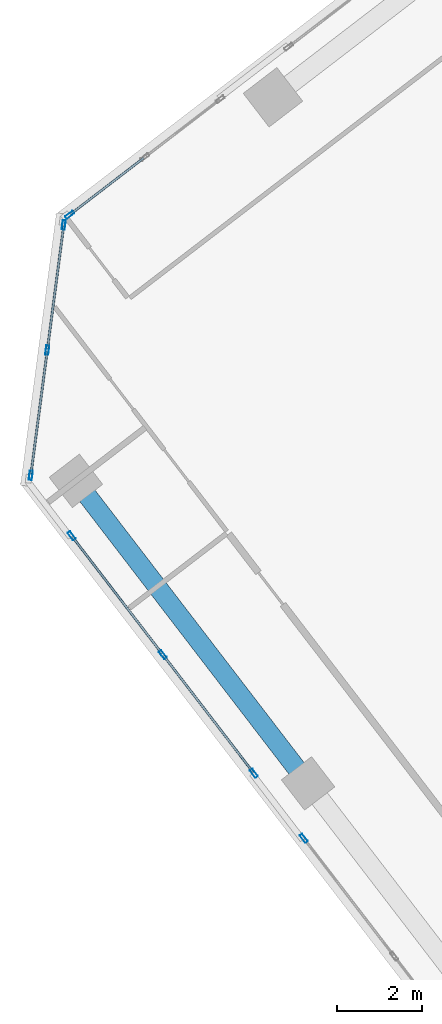
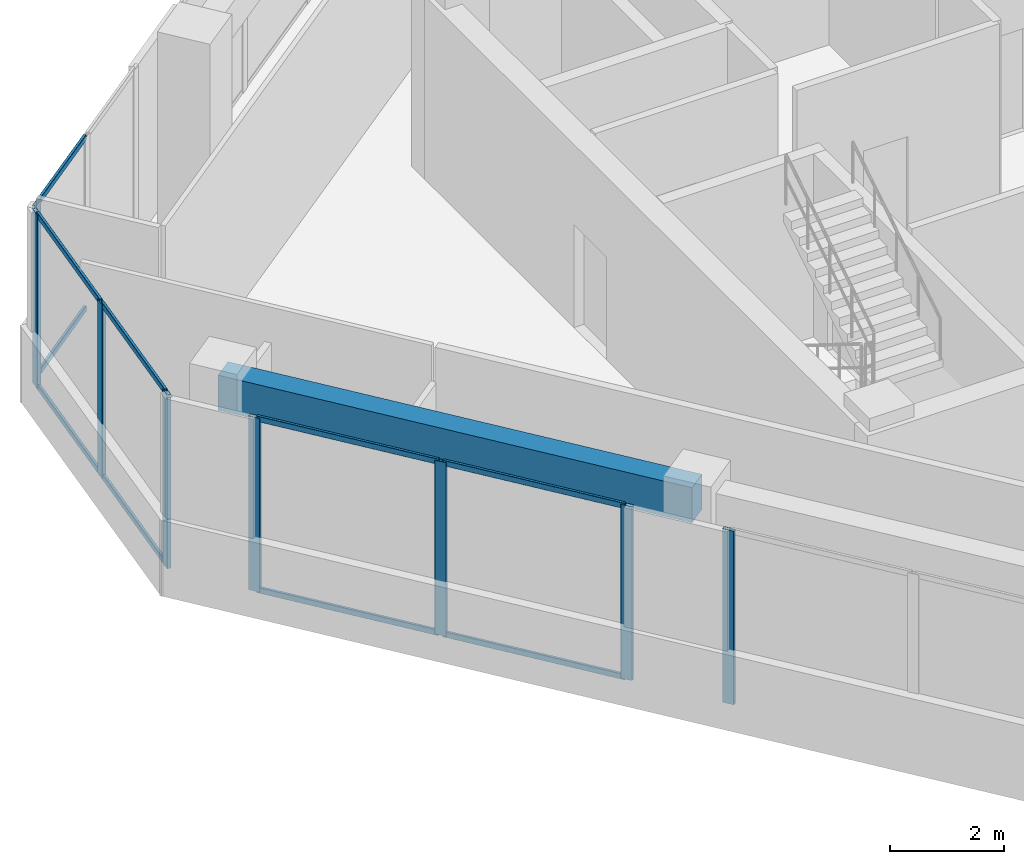
# One storey, part 4 of 17: 18 members, 1 beam, 4 elements without a shape of their own.
"""IFC4 building model written with IfcOpenShell, lengths in metres."""

import ifcopenshell
import ifcopenshell.guid

model = None  # the IFC model being written
_history = None  # IfcOwnerHistory: only IFC2X3 demands one
_inside = {}  # id of a spatial element -> (the spatial element, [elements in it])
_under = {}  # id of a project, library or spatial element -> (it, [spatial elements below it])
_declared = {}  # id of a project -> (the project, [libraries it declares])
_typed = {}  # id of a type object -> (the type object, [elements of that type])
_made_of = {}  # id of a material, layer set ... -> (it, [elements and type objects made of it])


def new_model(schema):
    """Start an empty IFC model of exactly this schema.

    Asked for "IFC4X3", IfcOpenShell would pick the latest addendum, in which some entities
    have other attributes; the version numbers below select the first issue.
    IFC2X3 requires an IfcOwnerHistory on every rooted entity: one is made here for all.
    """
    global model, _history
    if schema == "IFC4X3":
        model = ifcopenshell.file(schema_version=(4, 3, 0, 0))
    else:
        model = ifcopenshell.file(schema=schema)
    _inside.clear()
    _under.clear()
    _declared.clear()
    _typed.clear()
    _made_of.clear()
    _history = None
    if model.schema == "IFC2X3":
        org = make("IfcOrganization", Name="unknown")
        user = make(
            "IfcPersonAndOrganization",
            ThePerson=make("IfcPerson", FamilyName="unknown"),
            TheOrganization=org,
        )
        app = make(
            "IfcApplication",
            ApplicationDeveloper=org,
            Version="unknown",
            ApplicationFullName="unknown",
            ApplicationIdentifier="unknown",
        )
        _history = make(
            "IfcOwnerHistory",
            OwningUser=user,
            OwningApplication=app,
            ChangeAction="ADDED",
            CreationDate=0,
        )
    return model


def make(cls, **values):
    """One entity of the class cls with the attributes given. An attribute that is None is left unset."""
    return model.create_entity(
        cls, **{name: value for name, value in values.items() if value is not None}
    )


def rooted(cls, **values):
    """An entity with a GlobalId (a new one), such as an element, a storey or a relation."""
    return make(cls, GlobalId=ifcopenshell.guid.new(), OwnerHistory=_history, **values)


def si_unit(unit_type, name, prefix=None):
    """IfcSIUnit, for example si_unit("LENGTHUNIT", "METRE", prefix="MILLI")."""
    return make("IfcSIUnit", UnitType=unit_type, Prefix=prefix, Name=name)


def assignment(units):
    """IfcUnitAssignment: the units of a project."""
    return None if units is None else make("IfcUnitAssignment", Units=units)


def point(xyz):
    """IfcCartesianPoint."""
    return None if xyz is None else make("IfcCartesianPoint", Coordinates=xyz)


def direction(xyz):
    """IfcDirection."""
    return None if xyz is None else make("IfcDirection", DirectionRatios=xyz)


def frame(location, z_axis=None, x_axis=None):
    """IfcAxis2Placement3D, a coordinate frame: its origin and axes. An axis left out is left unset."""
    return make(
        "IfcAxis2Placement3D",
        Location=point(location),
        Axis=direction(z_axis),
        RefDirection=direction(x_axis),
    )


def frame_2d(location, x_axis=None):
    """IfcAxis2Placement2D, a coordinate frame in the plane: its origin and x axis."""
    return make(
        "IfcAxis2Placement2D", Location=point(location), RefDirection=direction(x_axis)
    )


def origin():
    """The frame at (0, 0, 0) with its axes left unset."""
    return frame((0.0, 0.0, 0.0))


def origin_2d():
    """The frame at (0, 0) in the plane with its x axis left unset."""
    return frame_2d((0.0, 0.0))


def place(relative_to, where):
    """IfcLocalPlacement: puts the frame where relative to a parent placement (None: the world)."""
    return make(
        "IfcLocalPlacement", PlacementRelTo=relative_to, RelativePlacement=where
    )


def context(
    kind, dimensions, precision=None, world=None, true_north=None, identifier=None
):
    """IfcGeometricRepresentationContext, for example the 3D "Model" context."""
    return make(
        "IfcGeometricRepresentationContext",
        ContextIdentifier=identifier,
        ContextType=kind,
        CoordinateSpaceDimension=dimensions,
        Precision=precision,
        WorldCoordinateSystem=world,
        TrueNorth=true_north,
    )


def subcontext(parent, identifier, kind, view, scale=None):
    """IfcGeometricRepresentationSubContext, for example "Body" below "Model"."""
    return make(
        "IfcGeometricRepresentationSubContext",
        ContextIdentifier=identifier,
        ContextType=kind,
        ParentContext=parent,
        TargetScale=scale,
        TargetView=view,
    )


def project(units=None, contexts=None):
    """IfcProject with its units and contexts."""
    return rooted(
        "IfcProject",
        Name="project",
        RepresentationContexts=contexts,
        UnitsInContext=assignment(units),
    )


def spatial(cls, under=None, at=None, **own):
    """A site, building, storey or space (cls), placed at a placement, below another one or the project."""
    s = rooted(cls, ObjectPlacement=at, **own)
    if under is not None:
        _under.setdefault(under.id(), (under, []))[1].append(s)
    return s


def profile(cls, at=None, kind="AREA", **sizes):
    """A parametric profile (cls). Its sizes go by their IFC names, for example OverallWidth=200.0."""
    return make(cls, ProfileType=kind, Position=at, **sizes)


def rectangle(**sizes):
    """IfcRectangleProfileDef."""
    return profile("IfcRectangleProfileDef", **sizes)


def hollow_rectangle(**sizes):
    """IfcRectangleHollowProfileDef."""
    return profile("IfcRectangleHollowProfileDef", **sizes)


def extrude(swept, where, along, depth):
    """IfcExtrudedAreaSolid: the profile swept, set in the frame where, extruded along a direction by depth."""
    return make(
        "IfcExtrudedAreaSolid",
        SweptArea=swept,
        Position=where,
        ExtrudedDirection=direction(along),
        Depth=depth,
    )


def shape(context_of_items, identifier, shape_type, items):
    """IfcShapeRepresentation: the items that make up one representation, for example the "Body"."""
    return make(
        "IfcShapeRepresentation",
        ContextOfItems=context_of_items,
        RepresentationIdentifier=identifier,
        RepresentationType=shape_type,
        Items=items,
    )


def source(mapping_origin, context_of_items, identifier, shape_type, items):
    """IfcRepresentationMap: a shape defined once, which mapped items show again and again."""
    return make(
        "IfcRepresentationMap",
        MappingOrigin=mapping_origin,
        MappedRepresentation=shape(context_of_items, identifier, shape_type, items),
    )


def transform(
    local_origin,
    x_axis=None,
    y_axis=None,
    z_axis=None,
    scale=None,
    scale2=None,
    scale3=None,
    uniform=True,
):
    """IfcCartesianTransformationOperator3D, or its non-uniform kind. x_axis, y_axis, z_axis: its Axis1, 2, 3."""
    if uniform:
        return make(
            "IfcCartesianTransformationOperator3D",
            Axis1=direction(x_axis),
            Axis2=direction(y_axis),
            LocalOrigin=point(local_origin),
            Scale=scale,
            Axis3=direction(z_axis),
        )
    return make(
        "IfcCartesianTransformationOperator3DnonUniform",
        Axis1=direction(x_axis),
        Axis2=direction(y_axis),
        LocalOrigin=point(local_origin),
        Scale=scale,
        Axis3=direction(z_axis),
        Scale2=scale2,
        Scale3=scale3,
    )


def mapped(mapping_source, mapping_target):
    """IfcMappedItem: shows the shape of a source again, moved by a transform."""
    return make(
        "IfcMappedItem", MappingSource=mapping_source, MappingTarget=mapping_target
    )


def material(Name=None, Category=None):
    """IfcMaterial."""
    return make("IfcMaterial", Name=Name, Category=Category)


def material_profile(
    of_material, cross_section, Name=None, Category=None, Priority=None
):
    """IfcMaterialProfile: a cross section and its material."""
    return make(
        "IfcMaterialProfile",
        Name=Name,
        Material=of_material,
        Profile=cross_section,
        Priority=Priority,
        Category=Category,
    )


def profile_set(profiles, Name=None, composite=None):
    """IfcMaterialProfileSet."""
    return make(
        "IfcMaterialProfileSet",
        Name=Name,
        MaterialProfiles=profiles,
        CompositeProfile=composite,
    )


def made_of(thing, what):
    """Note that an element or type object is made of a material, layer set ...; save() writes the relation."""
    if what is not None:
        _made_of.setdefault(what.id(), (what, []))[1].append(thing)
    return thing


def type_object(cls, material=None, **own):
    """A type object (cls), such as IfcWallType, which elements share."""
    return made_of(rooted(cls, **own), material)


def element(
    cls,
    number,
    at=None,
    inside=None,
    cuts=None,
    type_object=None,
    material=None,
    context=None,
    identifier="Body",
    shape_type=None,
    held_by="IfcProductDefinitionShape",
    body=None,
    shapes=None,
    **own,
):
    """One element of the class cls, such as IfcWall. Its Tag is "e" and its number.

    at: its placement. inside: the storey or other place that contains it. cuts: it is an
    opening in that element (IfcRelVoidsElement). A single representation is given by context,
    identifier, shape_type and body (its items); several are given by shapes. held_by: the class
    of the entity that holds the representations. save() writes the other relations.
    """
    e = rooted(cls, Tag="e%d" % number, ObjectPlacement=at, **own)
    if body is not None:
        shapes = [shape(context, identifier, shape_type, body)]
    if shapes is not None:
        e.Representation = make(held_by, Representations=shapes)
    if inside is not None:
        _inside.setdefault(inside.id(), (inside, []))[1].append(e)
    if cuts is not None:
        rooted(
            "IfcRelVoidsElement", RelatingBuildingElement=cuts, RelatedOpeningElement=e
        )
    if type_object is not None:
        _typed.setdefault(type_object.id(), (type_object, []))[1].append(e)
    return made_of(e, material)


def aggregate(whole, parts):
    """IfcRelAggregates: a whole, such as a stair, and the parts it consists of."""
    return rooted("IfcRelAggregates", RelatingObject=whole, RelatedObjects=parts)


def save(model, path):
    """Write the relations noted so far, then the file.

    IfcRelAggregates (storeys below a building ...), IfcRelContainedInSpatialStructure (elements
    in a storey), IfcRelDefinesByType, IfcRelAssociatesMaterial and IfcRelDeclares: one each for
    every whole, place, type object, material and project.
    """
    for whole, parts in _under.values():
        aggregate(whole, parts)
    for where, things in _inside.values():
        rooted(
            "IfcRelContainedInSpatialStructure",
            RelatedElements=things,
            RelatingStructure=where,
        )
    for kind, things in _typed.values():
        rooted("IfcRelDefinesByType", RelatedObjects=things, RelatingType=kind)
    for what, things in _made_of.values():
        rooted("IfcRelAssociatesMaterial", RelatedObjects=things, RelatingMaterial=what)
    for by, libraries in _declared.values():
        rooted("IfcRelDeclares", RelatingContext=by, RelatedDefinitions=libraries)
    model.write(path)


model = new_model("IFC4")

# Units and contexts
model_context = context("Model", 3, precision=1e-05, world=origin(), true_north=direction((0.0, 1.0)))
body_context = subcontext(model_context, "Body", "Model", "MODEL_VIEW")
ifc_project = project(units=[si_unit("LENGTHUNIT", "METRE"), si_unit("AREAUNIT", "SQUARE_METRE"), si_unit("VOLUMEUNIT", "CUBIC_METRE"), si_unit("PLANEANGLEUNIT", "RADIAN"), si_unit("MASSUNIT", "GRAM", prefix="KILO")], contexts=[model_context])

# Site, building, storey
site_placement = place(None, origin())
site = spatial("IfcSite", under=ifc_project, at=site_placement, CompositionType="ELEMENT")
building_placement = place(site_placement, origin())
building = spatial("IfcBuilding", under=site, at=building_placement, Name="Torre Montelarca", CompositionType="ELEMENT")
storey_placement = place(building_placement, frame((0.0, 0.0, 283.60009765625)))
storey = spatial("IfcBuildingStorey", under=building, at=storey_placement, Name="L64", CompositionType="ELEMENT", Elevation=283.60009765625)

# Beam
ifc_material_1 = material(Name="Concrete C55/67", Category="concrete")
ifc_material_profile_1 = material_profile(ifc_material_1, rectangle(XDim=0.449951171875, YDim=0.75, at=origin_2d()), Name="RCB450X750", Category="concrete")
ifc_profile_set_1 = profile_set([ifc_material_profile_1], Name="Concrete C55/67")
beam_type = type_object("IfcBeamType", Name="BM-SP-RC750-EXT", PredefinedType="SPANDREL", material=ifc_profile_set_1)
shared_shape_1 = source(origin(), body_context, "Body", "SweptSolid", [
    extrude(rectangle(XDim=0.449951171875, YDim=0.75, at=origin_2d()), origin(), (0.0, 0.0, 1.0), 9.0),
])
beam_placement = place(storey_placement, frame((0.244873046875, 31.4462890625, 3.544921875), z_axis=(0.608744143222, -0.793366603842, 0.0), x_axis=(0.793366603842, 0.608744143222, 0.0)))
element("IfcBeam", 1, at=beam_placement, inside=storey, type_object=beam_type, Name="L64 Grid Girder X 9.0-18.0 at Y=14.8", PredefinedType="SPANDREL", context=body_context, shape_type="MappedRepresentation", body=[
    mapped(shared_shape_1, transform((0.0, 0.0, 0.0), scale=1.0)),
])

# Curtain wall, members
ifc_material_2 = material(Name="Insulated low-E laminated glass", Category="glass")
curtain_wall_type = type_object("IfcCurtainWallType", Name="CW-SYS-Z3", PredefinedType="USERDEFINED", material=ifc_material_2)
curtain_wall_1_placement = place(storey_placement, origin())
curtain_wall_1 = element("IfcCurtainWall", 2, at=curtain_wall_1_placement, inside=storey, type_object=curtain_wall_type, Name="L64 Curtain Wall Run CW-T3-L64-E01-B1", ObjectType="UNITISED GLAZING", PredefinedType="USERDEFINED")
ifc_material_3 = material(Name="Anodised aluminium AA 6063-T6", Category="aluminium")
ifc_material_profile_2 = material_profile(ifc_material_3, hollow_rectangle(XDim=0.074951171875, YDim=0.219970703125, WallThickness=0.0048828125, InnerFilletRadius=0.0048828125, OuterFilletRadius=0.010009765625, at=origin_2d()), Name="ALU75X220X5", Category="aluminium")
ifc_profile_set_2 = profile_set([ifc_material_profile_2], Name="Anodised aluminium AA 6063-T6")
member_type_1 = type_object("IfcMemberType", Name="CWM-ALU220", PredefinedType="MULLION", material=ifc_profile_set_2)
shared_shape_2 = source(origin(), body_context, "Body", "SweptSolid", [
    extrude(hollow_rectangle(XDim=0.074951171875, YDim=0.219970703125, WallThickness=0.0048828125, InnerFilletRadius=0.0048828125, OuterFilletRadius=0.010009765625, at=origin_2d()), origin(), (0.0, 0.0, 1.0), 3.719970703125),
])
member_1_placement = place(storey_placement, frame((0.1435546875, 30.14892578125, 0.0), z_axis=(0.0, 0.0, 1.0), x_axis=(0.793348180762, 0.608768152979, 0.0)))
member_1 = element("IfcMember", 3, at=member_1_placement, type_object=member_type_1, Name="CW mullion 1", PredefinedType="MULLION", context=body_context, shape_type="MappedRepresentation", body=[
    mapped(shared_shape_2, transform((0.0, 0.0, 0.0), scale=1.0)),
])
member_2_placement = place(storey_placement, frame((2.2939453125, 27.346435546875, 0.0), z_axis=(0.0, 0.0, 1.0), x_axis=(0.793348180762, 0.608768152979, 0.0)))
member_2 = element("IfcMember", 4, at=member_2_placement, type_object=member_type_1, Name="CW mullion 2", PredefinedType="MULLION", context=body_context, shape_type="MappedRepresentation", body=[
    mapped(shared_shape_2, transform((0.0, 0.0, 0.0), scale=1.0)),
])
member_3_placement = place(storey_placement, frame((4.444580078125, 24.5439453125, 0.0), z_axis=(0.0, 0.0, 1.0), x_axis=(0.793348180762, 0.608768152979, 0.0)))
member_3 = element("IfcMember", 5, at=member_3_placement, type_object=member_type_1, Name="CW mullion 3", PredefinedType="MULLION", context=body_context, shape_type="MappedRepresentation", body=[
    mapped(shared_shape_2, transform((0.0, 0.0, 0.0), scale=1.0)),
])

# Curtain wall, member
curtain_wall_2_placement = place(storey_placement, origin())
curtain_wall_2 = element("IfcCurtainWall", 6, at=curtain_wall_2_placement, inside=storey, type_object=curtain_wall_type, Name="L64 Curtain Wall Run CW-T3-L64-E01-B2", ObjectType="UNITISED GLAZING", PredefinedType="USERDEFINED")
member_4_placement = place(storey_placement, frame((5.622314453125, 23.0087890625, 0.0), z_axis=(0.0, 0.0, 1.0), x_axis=(0.793350672852, 0.608764905268, 0.0)))
member_4 = element("IfcMember", 7, at=member_4_placement, type_object=member_type_1, Name="CW mullion 1", PredefinedType="MULLION", context=body_context, shape_type="MappedRepresentation", body=[
    mapped(shared_shape_2, transform((0.0, 0.0, 0.0), scale=1.0)),
])
aggregate(curtain_wall_2, [member_4])

curtain_wall_3_placement = place(storey_placement, origin())
curtain_wall_3 = element("IfcCurtainWall", 8, at=curtain_wall_3_placement, inside=storey, type_object=curtain_wall_type, Name="L64 Curtain Wall Run CW-T3-L64-E10-B3", ObjectType="UNITISED GLAZING", PredefinedType="USERDEFINED")
member_5_placement = place(storey_placement, frame((0.096435546875, 37.722900390625, 0.0), z_axis=(0.0, 0.0, 1.0), x_axis=(0.608757401695, -0.793356430541, 0.0)))
member_5 = element("IfcMember", 9, at=member_5_placement, type_object=member_type_1, Name="CW mullion 3", PredefinedType="MULLION", context=body_context, shape_type="MappedRepresentation", body=[
    mapped(shared_shape_2, transform((0.0, 0.0, 0.0), scale=1.0)),
])

# Curtain wall, members
curtain_wall_4_placement = place(storey_placement, origin())
curtain_wall_4 = element("IfcCurtainWall", 10, at=curtain_wall_4_placement, inside=storey, type_object=curtain_wall_type, Name="L64 Curtain Wall Run CW-T3-L64-E11-B1", ObjectType="UNITISED GLAZING", PredefinedType="USERDEFINED")
member_6_placement = place(storey_placement, frame((-0.041748046875, 37.483642578125, 0.0), z_axis=(0.0, 0.0, 1.0), x_axis=(0.991446450787, -0.130514118862, 0.0)))
member_6 = element("IfcMember", 11, at=member_6_placement, type_object=member_type_1, Name="CW mullion 1", PredefinedType="MULLION", context=body_context, shape_type="MappedRepresentation", body=[
    mapped(shared_shape_2, transform((0.0, 0.0, 0.0), scale=1.0)),
])
member_7_placement = place(storey_placement, frame((-0.430419921875, 34.530517578125, 0.0), z_axis=(0.0, 0.0, 1.0), x_axis=(0.991446450787, -0.130514118862, 0.0)))
member_7 = element("IfcMember", 12, at=member_7_placement, type_object=member_type_1, Name="CW mullion 2", PredefinedType="MULLION", context=body_context, shape_type="MappedRepresentation", body=[
    mapped(shared_shape_2, transform((0.0, 0.0, 0.0), scale=1.0)),
])
member_8_placement = place(storey_placement, frame((-0.819091796875, 31.577392578125, 0.0), z_axis=(0.0, 0.0, 1.0), x_axis=(0.991446450787, -0.130514118862, 0.0)))
member_8 = element("IfcMember", 13, at=member_8_placement, type_object=member_type_1, Name="CW mullion 3", PredefinedType="MULLION", context=body_context, shape_type="MappedRepresentation", body=[
    mapped(shared_shape_2, transform((0.0, 0.0, 0.0), scale=1.0)),
])
ifc_material_profile_3 = material_profile(ifc_material_3, hollow_rectangle(XDim=0.054931640625, YDim=0.1201171875, WallThickness=0.00341796875, InnerFilletRadius=0.00341796875, OuterFilletRadius=0.007080078125, at=origin_2d()), Name="ALU55X120X3.5", Category="aluminium")
ifc_profile_set_3 = profile_set([ifc_material_profile_3], Name="Anodised aluminium AA 6063-T6")
member_type_2 = type_object("IfcMemberType", Name="CWT-ALU120", PredefinedType="USERDEFINED", material=ifc_profile_set_3)
shared_shape_3 = source(origin(), body_context, "Body", "SweptSolid", [
    extrude(hollow_rectangle(XDim=0.054931640625, YDim=0.1201171875, WallThickness=0.00341796875, InnerFilletRadius=0.00341796875, OuterFilletRadius=0.007080078125, at=origin_2d()), origin(), (0.0, 0.0, 1.0), 2.90380859375),
])
member_9_placement = place(storey_placement, frame((-0.046630859375, 37.446533203125, 0.02734375), z_axis=(-0.13048931135, -0.991449716135, 0.0), x_axis=(0.991449716135, -0.13048931135, 0.0)))
member_9 = element("IfcMember", 14, at=member_9_placement, type_object=member_type_2, Name="CW transom 1.1", ObjectType="TRANSOM", PredefinedType="USERDEFINED", context=body_context, shape_type="MappedRepresentation", body=[
    mapped(shared_shape_3, transform((0.0, 0.0, 0.0), scale=1.0)),
])
member_10_placement = place(storey_placement, frame((-0.046630859375, 37.446533203125, 3.6923828125), z_axis=(-0.13048931135, -0.991449716135, 0.0), x_axis=(0.991449716135, -0.13048931135, 0.0)))
member_10 = element("IfcMember", 15, at=member_10_placement, type_object=member_type_2, Name="CW transom 1.2", ObjectType="TRANSOM", PredefinedType="USERDEFINED", context=body_context, shape_type="MappedRepresentation", body=[
    mapped(shared_shape_3, transform((0.0, 0.0, 0.0), scale=1.0)),
])
member_11_placement = place(storey_placement, frame((-0.435302734375, 34.493408203125, 0.02734375), z_axis=(-0.13048931135, -0.991449716135, 0.0), x_axis=(0.991449716135, -0.13048931135, 0.0)))
member_11 = element("IfcMember", 16, at=member_11_placement, type_object=member_type_2, Name="CW transom 2.1", ObjectType="TRANSOM", PredefinedType="USERDEFINED", context=body_context, shape_type="MappedRepresentation", body=[
    mapped(shared_shape_3, transform((0.0, 0.0, 0.0), scale=1.0)),
])
member_12_placement = place(storey_placement, frame((-0.435302734375, 34.493408203125, 3.6923828125), z_axis=(-0.13048931135, -0.991449716135, 0.0), x_axis=(0.991449716135, -0.13048931135, 0.0)))
member_12 = element("IfcMember", 17, at=member_12_placement, type_object=member_type_2, Name="CW transom 2.2", ObjectType="TRANSOM", PredefinedType="USERDEFINED", context=body_context, shape_type="MappedRepresentation", body=[
    mapped(shared_shape_3, transform((0.0, 0.0, 0.0), scale=1.0)),
])
aggregate(curtain_wall_4, [member_6, member_7, member_8, member_9, member_10, member_11, member_12])

# Member
shared_shape_4 = source(origin(), body_context, "Body", "SweptSolid", [
    extrude(hollow_rectangle(XDim=0.054931640625, YDim=0.1201171875, WallThickness=0.00341796875, InnerFilletRadius=0.00341796875, OuterFilletRadius=0.007080078125, at=origin_2d()), origin(), (0.0, 0.0, 1.0), 3.45751953125),
])
member_13_placement = place(storey_placement, frame((0.166259765625, 30.119140625, 0.02734375), z_axis=(0.608809484035, -0.79331646406, 0.0), x_axis=(0.79331646406, 0.608809484035, 0.0)))
member_13 = element("IfcMember", 18, at=member_13_placement, type_object=member_type_2, Name="CW transom 1.1", ObjectType="TRANSOM", PredefinedType="USERDEFINED", context=body_context, shape_type="MappedRepresentation", body=[
    mapped(shared_shape_4, transform((0.0, 0.0, 0.0), scale=1.0)),
])

member_14_placement = place(storey_placement, frame((0.166259765625, 30.119140625, 3.6923828125), z_axis=(0.608809484035, -0.79331646406, 0.0), x_axis=(0.79331646406, 0.608809484035, 0.0)))
member_14 = element("IfcMember", 19, at=member_14_placement, type_object=member_type_2, Name="CW transom 1.2", ObjectType="TRANSOM", PredefinedType="USERDEFINED", context=body_context, shape_type="MappedRepresentation", body=[
    mapped(shared_shape_4, transform((0.0, 0.0, 0.0), scale=1.0)),
])

shared_shape_5 = source(origin(), body_context, "Body", "SweptSolid", [
    extrude(hollow_rectangle(XDim=0.054931640625, YDim=0.1201171875, WallThickness=0.00341796875, InnerFilletRadius=0.00341796875, OuterFilletRadius=0.007080078125, at=origin_2d()), origin(), (0.0, 0.0, 1.0), 3.457275390625),
])
member_15_placement = place(storey_placement, frame((2.31689453125, 27.316650390625, 0.02734375), z_axis=(0.608765041959, -0.793350567964, 0.0), x_axis=(0.793350567964, 0.608765041959, 0.0)))
member_15 = element("IfcMember", 20, at=member_15_placement, type_object=member_type_2, Name="CW transom 2.1", ObjectType="TRANSOM", PredefinedType="USERDEFINED", context=body_context, shape_type="MappedRepresentation", body=[
    mapped(shared_shape_5, transform((0.0, 0.0, 0.0), scale=1.0)),
])

member_16_placement = place(storey_placement, frame((2.31689453125, 27.316650390625, 3.6923828125), z_axis=(0.608765041959, -0.793350567964, 0.0), x_axis=(0.793350567964, 0.608765041959, 0.0)))
member_16 = element("IfcMember", 21, at=member_16_placement, type_object=member_type_2, Name="CW transom 2.2", ObjectType="TRANSOM", PredefinedType="USERDEFINED", context=body_context, shape_type="MappedRepresentation", body=[
    mapped(shared_shape_5, transform((0.0, 0.0, 0.0), scale=1.0)),
])

aggregate(curtain_wall_1, [member_1, member_2, member_3, member_13, member_14, member_15, member_16])

shared_shape_6 = source(origin(), body_context, "Body", "SweptSolid", [
    extrude(hollow_rectangle(XDim=0.054931640625, YDim=0.1201171875, WallThickness=0.00341796875, InnerFilletRadius=0.00341796875, OuterFilletRadius=0.007080078125, at=origin_2d()), origin(), (0.0, 0.0, 1.0), 2.16455078125),
])
member_17_placement = place(storey_placement, frame((1.843505859375, 39.0634765625, 0.02734375), z_axis=(-0.793373932835, -0.608734591343, 0.0), x_axis=(0.608734591343, -0.793373932835, 0.0)))
member_17 = element("IfcMember", 22, at=member_17_placement, type_object=member_type_2, Name="CW transom 2.1", ObjectType="TRANSOM", PredefinedType="USERDEFINED", context=body_context, shape_type="MappedRepresentation", body=[
    mapped(shared_shape_6, transform((0.0, 0.0, 0.0), scale=1.0)),
])

member_18_placement = place(storey_placement, frame((1.843505859375, 39.0634765625, 3.6923828125), z_axis=(-0.793373932835, -0.608734591343, 0.0), x_axis=(0.608734591343, -0.793373932835, 0.0)))
member_18 = element("IfcMember", 23, at=member_18_placement, type_object=member_type_2, Name="CW transom 2.2", ObjectType="TRANSOM", PredefinedType="USERDEFINED", context=body_context, shape_type="MappedRepresentation", body=[
    mapped(shared_shape_6, transform((0.0, 0.0, 0.0), scale=1.0)),
])

aggregate(curtain_wall_3, [member_5, member_17, member_18])

save(model, "model.ifc")
